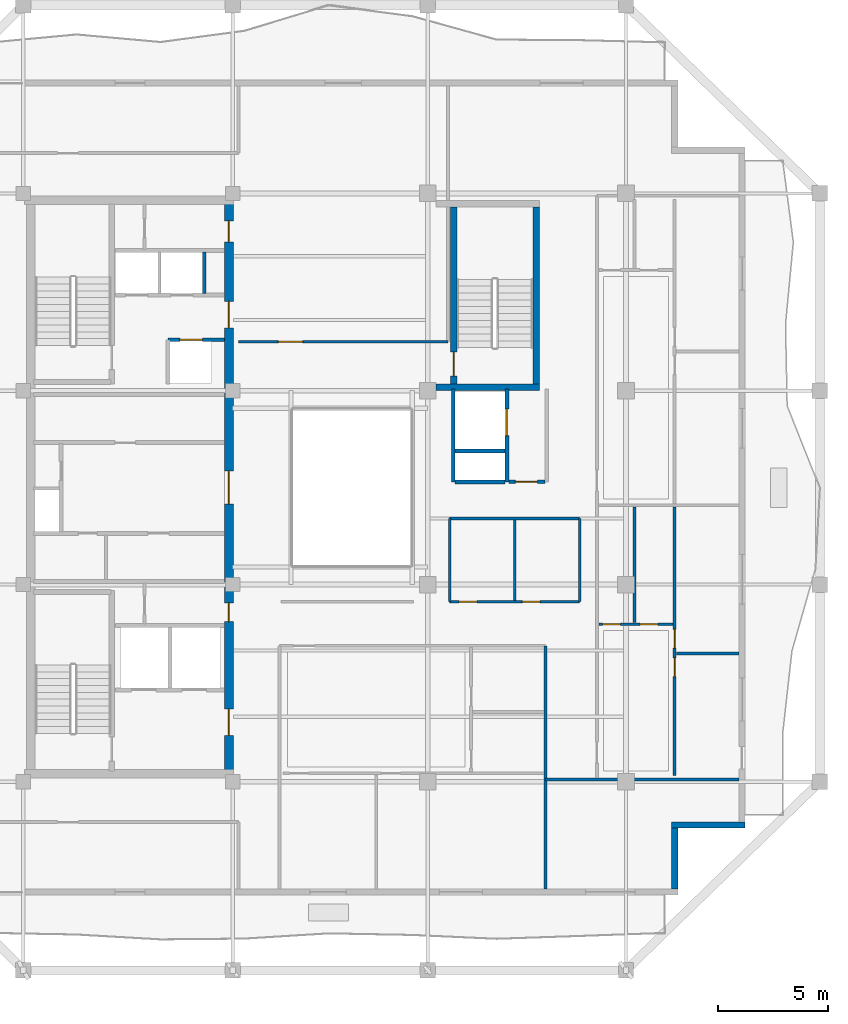
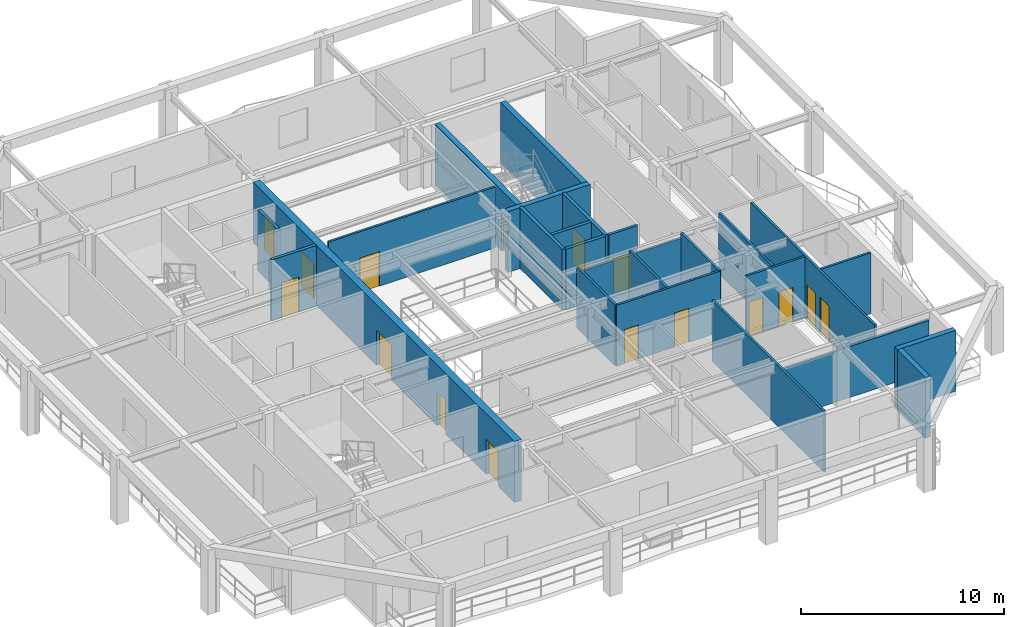
# One storey, part 4 of 10: 25 walls, 16 doors, 16 openings.
"""IFC4 building model written with IfcOpenShell, lengths in metres."""

from ifc_helpers import new_model, si_unit, direction, frame, frame_2d, origin, place, context, subcontext, project, spatial, rectangle, extrude, material, layer, layer_set, type_object, element, fill, save


model = new_model("IFC4")

# Units and contexts
model_context = context("Model", 3, precision=1e-05, world=origin(), true_north=direction((0.0, 1.0)))
body_context = subcontext(model_context, "Body", "Model", "MODEL_VIEW")
ifc_project = project(units=[si_unit("LENGTHUNIT", "METRE"), si_unit("AREAUNIT", "SQUARE_METRE"), si_unit("VOLUMEUNIT", "CUBIC_METRE"), si_unit("PLANEANGLEUNIT", "RADIAN"), si_unit("MASSUNIT", "GRAM", prefix="KILO")], contexts=[model_context])

# Site, building, storey
site_placement = place(None, origin())
site = spatial("IfcSite", under=ifc_project, at=site_placement, CompositionType="ELEMENT")
building_placement = place(site_placement, origin())
building = spatial("IfcBuilding", under=site, at=building_placement, Name="Kundavana Baori Tower", CompositionType="ELEMENT")
storey_placement = place(building_placement, frame((0.0, 0.0, 276.5)))
storey = spatial("IfcBuildingStorey", under=building, at=storey_placement, Name="L68", CompositionType="ELEMENT", Elevation=276.5)

# Wall, openings, doors
ifc_material_1 = material(Name="Concrete C50/60", Category="concrete")
ifc_layer_1 = layer(ifc_material_1, 0.39990234375, Name="WL-CORE-400")
ifc_layer_set_1 = layer_set([ifc_layer_1], Name="Concrete C50/60")
wall_type_1 = type_object("IfcWallType", Name="WL-CORE-400", PredefinedType="SHEAR", material=ifc_layer_set_1)
wall_1_placement = place(storey_placement, frame((24.780029296875, 15.739990234375, 0.0), z_axis=(0.0, 0.0, 1.0), x_axis=(0.0, 1.0, 0.0)))
wall_1 = element("IfcWall", 1, at=wall_1_placement, inside=storey, type_object=wall_type_1, Name="L68 Offset Core East Shear Wall", PredefinedType="SHEAR", context=body_context, shape_type="SweptSolid", body=[
    extrude(rectangle(XDim=25.760009765625, YDim=0.39990234375, at=frame_2d((12.8798828125, 0.0))), origin(), (0.0, 0.0, 1.0), 3.659912109375),
])
opening_1_placement = place(wall_1_placement, frame((1.610107421875, 0.0, 0.0)))
opening_1 = element("IfcOpeningElement", 2, at=opening_1_placement, cuts=wall_1, Name="Opening FD-120", PredefinedType="OPENING", context=body_context, shape_type="SweptSolid", body=[
    extrude(rectangle(XDim=1.199951171875, YDim=2.10009765625, at=frame_2d((0.60009765625, 1.050048828125))), frame((0.0, 0.2099609375, 0.0), z_axis=(0.0, -1.0, 0.0), x_axis=(1.0, 0.0, 0.0)), (0.0, 0.0, 1.0), 0.419921875),
])
opening_2_placement = place(wall_1_placement, frame((6.780029296875, 0.0, 0.0)))
opening_2 = element("IfcOpeningElement", 3, at=opening_2_placement, cuts=wall_1, Name="Opening FD-085", PredefinedType="OPENING", context=body_context, shape_type="SweptSolid", body=[
    extrude(rectangle(XDim=0.85009765625, YDim=2.06005859375, at=frame_2d((0.425048828125, 1.030029296875))), frame((0.0, 0.2099609375, 0.0), z_axis=(0.0, -1.0, 0.0), x_axis=(1.0, 0.0, 0.0)), (0.0, 0.0, 1.0), 0.419921875),
])
opening_3_placement = place(wall_1_placement, frame((12.110107421875, 0.0, 0.0)))
opening_3 = element("IfcOpeningElement", 4, at=opening_3_placement, cuts=wall_1, Name="Opening FD-150", PredefinedType="OPENING", context=body_context, shape_type="SweptSolid", body=[
    extrude(rectangle(XDim=1.5, YDim=2.1201171875, at=frame_2d((0.75, 1.06005859375))), frame((0.0, 0.2099609375, 0.0), z_axis=(0.0, -1.0, 0.0), x_axis=(1.0, 0.0, 0.0)), (0.0, 0.0, 1.0), 0.419921875),
])
opening_4_placement = place(wall_1_placement, frame((20.110107421875, 0.0, 0.0)))
opening_4 = element("IfcOpeningElement", 5, at=opening_4_placement, cuts=wall_1, Name="Opening FD-122", PredefinedType="OPENING", context=body_context, shape_type="SweptSolid", body=[
    extrude(rectangle(XDim=1.199951171875, YDim=2.1201171875, at=frame_2d((0.60009765625, 1.06005859375))), frame((0.0, 0.2099609375, 0.0), z_axis=(0.0, -1.0, 0.0), x_axis=(1.0, 0.0, 0.0)), (0.0, 0.0, 1.0), 0.419921875),
])
opening_5_placement = place(wall_1_placement, frame((24.010009765625, 0.0, 0.0)))
opening_5 = element("IfcOpeningElement", 6, at=opening_5_placement, cuts=wall_1, Name="Opening FD-095", PredefinedType="OPENING", context=body_context, shape_type="SweptSolid", body=[
    extrude(rectangle(XDim=0.949951171875, YDim=2.10009765625, at=frame_2d((0.47509765625, 1.050048828125))), frame((0.0, 0.2099609375, 0.0), z_axis=(0.0, -1.0, 0.0), x_axis=(1.0, 0.0, 0.0)), (0.0, 0.0, 1.0), 0.419921875),
])
ifc_material_2 = material(Name="Galvanised Steel Fire-Rated Door Leaf", Category="steel")
door_type_1 = type_object("IfcDoorType", Name="DR-FD120-1200", OperationType="NOTDEFINED", PredefinedType="DOOR", material=ifc_material_2)
door_1_placement = place(opening_1_placement, frame((1.199951171875, 0.0, 0.0), z_axis=(0.0, 0.0, 1.0), x_axis=(-1.0, 0.0, 0.0)))
door_1 = element("IfcDoor", 7, at=door_1_placement, inside=storey, type_object=door_type_1, Name="DR-L68-FFLOB-E", OperationType="SINGLE_SWING_RIGHT", OverallHeight=2.10009765625, OverallWidth=1.199951171875, PredefinedType="DOOR", context=body_context, shape_type="SweptSolid", body=[
    extrude(rectangle(XDim=1.199951171875, YDim=2.10009765625, at=frame_2d((0.60009765625, 1.050048828125))), frame((0.0, 0.02490234375, 0.0), z_axis=(0.0, -1.0, 0.0), x_axis=(1.0, 0.0, 0.0)), (0.0, 0.0, 1.0), 0.050048828125),
])
fill(opening_1, door_1)
ifc_material_3 = material(Name="Galvanised Steel Fire-Rated Door Leaf", Category="steel")
door_type_2 = type_object("IfcDoorType", Name="DR-FD60-1200", OperationType="NOTDEFINED", PredefinedType="DOOR", material=ifc_material_3)
door_2_placement = place(opening_4_placement, frame((1.199951171875, 0.0, 0.0), z_axis=(0.0, 0.0, 1.0), x_axis=(-1.0, 0.0, 0.0)))
door_2 = element("IfcDoor", 8, at=door_2_placement, inside=storey, type_object=door_type_2, Name="DR-L68-HRLOB-E", OperationType="SINGLE_SWING_RIGHT", OverallHeight=2.1201171875, OverallWidth=1.199951171875, PredefinedType="DOOR", context=body_context, shape_type="SweptSolid", body=[
    extrude(rectangle(XDim=1.199951171875, YDim=2.1201171875, at=frame_2d((0.60009765625, 1.06005859375))), frame((0.0, 0.02490234375, 0.0), z_axis=(0.0, -1.0, 0.0), x_axis=(1.0, 0.0, 0.0)), (0.0, 0.0, 1.0), 0.050048828125),
])
fill(opening_4, door_2)
ifc_material_4 = material(Name="Galvanised Steel Fire-Rated Door Leaf", Category="steel")
door_type_3 = type_object("IfcDoorType", Name="DR-FD60-1500", OperationType="NOTDEFINED", PredefinedType="DOOR", material=ifc_material_4)
door_3_placement = place(opening_3_placement, frame((1.5, 0.0, 0.0), z_axis=(0.0, 0.0, 1.0), x_axis=(-1.0, 0.0, 0.0)))
door_3 = element("IfcDoor", 9, at=door_3_placement, inside=storey, type_object=door_type_3, Name="DR-L68-LIFTHALL-E", OperationType="SINGLE_SWING_LEFT", OverallHeight=2.1201171875, OverallWidth=1.5, PredefinedType="DOOR", context=body_context, shape_type="SweptSolid", body=[
    extrude(rectangle(XDim=1.5, YDim=2.1201171875, at=frame_2d((0.75, 1.06005859375))), frame((0.0, 0.02490234375, 0.0), z_axis=(0.0, -1.0, 0.0), x_axis=(1.0, 0.0, 0.0)), (0.0, 0.0, 1.0), 0.050048828125),
])
fill(opening_3, door_3)
ifc_material_5 = material(Name="Galvanised Steel Fire-Rated Door Leaf", Category="steel")
door_type_4 = type_object("IfcDoorType", Name="DR-FD60-850", OperationType="NOTDEFINED", PredefinedType="DOOR", material=ifc_material_5)
door_4_placement = place(opening_2_placement, frame((0.85009765625, 0.0, 0.0), z_axis=(0.0, 0.0, 1.0), x_axis=(-1.0, 0.0, 0.0)))
door_4 = element("IfcDoor", 10, at=door_4_placement, inside=storey, type_object=door_type_4, Name="DR-L68-CSMK2", OperationType="SINGLE_SWING_LEFT", OverallHeight=2.06005859375, OverallWidth=0.85009765625, PredefinedType="DOOR", context=body_context, shape_type="SweptSolid", body=[
    extrude(rectangle(XDim=0.85009765625, YDim=2.06005859375, at=frame_2d((0.425048828125, 1.030029296875))), frame((0.0, 0.02490234375, 0.0), z_axis=(0.0, -1.0, 0.0), x_axis=(1.0, 0.0, 0.0)), (0.0, 0.0, 1.0), 0.050048828125),
])
fill(opening_2, door_4)
ifc_material_6 = material(Name="Engineered Teak Fire-Rated Timber Door Leaf", Category="wood")
door_type_5 = type_object("IfcDoorType", Name="DR-FD60-950", OperationType="NOTDEFINED", PredefinedType="DOOR", material=ifc_material_6)
door_5_placement = place(opening_5_placement, frame((0.949951171875, 0.0, 0.0), z_axis=(0.0, 0.0, 1.0), x_axis=(-1.0, 0.0, 0.0)))
door_5 = element("IfcDoor", 11, at=door_5_placement, inside=storey, type_object=door_type_5, Name="DR-L68-CSRV2", OperationType="SINGLE_SWING_LEFT", OverallHeight=2.10009765625, OverallWidth=0.949951171875, PredefinedType="DOOR", context=body_context, shape_type="SweptSolid", body=[
    extrude(rectangle(XDim=0.949951171875, YDim=2.10009765625, at=frame_2d((0.47509765625, 1.050048828125))), frame((0.0, 0.02490234375, 0.0), z_axis=(0.0, -1.0, 0.0), x_axis=(1.0, 0.0, 0.0)), (0.0, 0.0, 1.0), 0.050048828125),
])
fill(opening_5, door_5)

# Walls
ifc_material_7 = material(Name="Red-Buff Dholpur Sandstone Cladding on Concrete C40/50", Category="masonry")
ifc_layer_2 = layer(ifc_material_7, 0.280029296875, Name="WL-EXT-SAND-280")
ifc_layer_set_2 = layer_set([ifc_layer_2], Name="Red-Buff Dholpur Sandstone Cladding on Concrete C40/50")
wall_type_2 = type_object("IfcWallType", Name="WL-EXT-SAND-280", PredefinedType="STANDARD", material=ifc_layer_set_2)
wall_2_placement = place(storey_placement, frame((45.010009765625, 10.3798828125, 0.0), z_axis=(0.0, 0.0, 1.0), x_axis=(0.0, 1.0, 0.0)))
element("IfcWall", 12, at=wall_2_placement, inside=storey, type_object=wall_type_2, Name="L68 Exterior Insulated Facade Wall 02", PredefinedType="STANDARD", context=body_context, shape_type="SweptSolid", body=[
    extrude(rectangle(XDim=2.77001953125, YDim=0.280029296875, at=frame_2d((1.385009765625, 0.0))), origin(), (0.0, 0.0, 1.0), 3.659912109375),
])
wall_3_placement = place(storey_placement, frame((44.8701171875, 13.2900390625, 0.0), z_axis=(0.0, 0.0, 1.0), x_axis=(1.0, 0.0, 0.0)))
element("IfcWall", 13, at=wall_3_placement, inside=storey, type_object=wall_type_2, Name="L68 Exterior Insulated Facade Wall 03", PredefinedType="STANDARD", context=body_context, shape_type="SweptSolid", body=[
    extrude(rectangle(XDim=3.329833984375, YDim=0.280029296875, at=frame_2d((1.6650390625, 0.0))), origin(), (0.0, 0.0, 1.0), 3.659912109375),
])

# Wall, opening, door
ifc_material_8 = material(Name="Fire-Rated Gypsum Drywall on Galvanised Steel Studs", Category="steel")
ifc_layer_3 = layer(ifc_material_8, 0.14990234375, Name="WL-PART-150")
ifc_layer_set_3 = layer_set([ifc_layer_3], Name="Fire-Rated Gypsum Drywall on Galvanised Steel Studs")
wall_type_3 = type_object("IfcWallType", Name="WL-PART-150", PredefinedType="PARTITIONING", material=ifc_layer_set_3)
wall_4_placement = place(storey_placement, frame((37.47998046875, 28.860107421875, 0.0), z_axis=(0.0, 0.0, 1.0), x_axis=(1.0, 0.0, 0.0)))
wall_4 = element("IfcWall", 14, at=wall_4_placement, inside=storey, type_object=wall_type_3, Name="WL-L68-SVLOB-S", PredefinedType="PARTITIONING", context=body_context, shape_type="SweptSolid", body=[
    extrude(rectangle(XDim=1.64013671875, YDim=0.14990234375, at=frame_2d((0.820068359375, 0.0))), origin(), (0.0, 0.0, 1.0), 3.659912109375),
])
opening_6_placement = place(wall_4_placement, frame((0.300048828125, 0.0, 0.0)))
opening_6 = element("IfcOpeningElement", 15, at=opening_6_placement, cuts=wall_4, Name="Opening FD-100", PredefinedType="OPENING", context=body_context, shape_type="SweptSolid", body=[
    extrude(rectangle(XDim=1.0, YDim=2.10009765625, at=frame_2d((0.5, 1.050048828125))), frame((0.0, 0.0849609375, 0.0), z_axis=(0.0, -1.0, 0.0), x_axis=(1.0, 0.0, 0.0)), (0.0, 0.0, 1.0), 0.169921875),
])
ifc_material_9 = material(Name="Engineered Teak Fire-Rated Timber Door Leaf", Category="wood")
door_type_6 = type_object("IfcDoorType", Name="DR-FD60-1000", OperationType="NOTDEFINED", PredefinedType="DOOR", material=ifc_material_9)
door_6_placement = place(opening_6_placement, origin())
door_6 = element("IfcDoor", 16, at=door_6_placement, inside=storey, type_object=door_type_6, Name="DR-L68-SVLOB-OUT", OperationType="SINGLE_SWING_LEFT", OverallHeight=2.10009765625, OverallWidth=1.0, PredefinedType="DOOR", context=body_context, shape_type="SweptSolid", body=[
    extrude(rectangle(XDim=1.0, YDim=2.10009765625, at=frame_2d((0.5, 1.050048828125))), frame((0.0, 0.02490234375, 0.0), z_axis=(0.0, -1.0, 0.0), x_axis=(1.0, 0.0, 0.0)), (0.0, 0.0, 1.0), 0.050048828125),
])
fill(opening_6, door_6)

ifc_material_10 = material(Name="Autoclaved Aerated Concrete Blockwork Masonry", Category="masonry")
ifc_layer_4 = layer(ifc_material_10, 0.179931640625, Name="WL-SHAFT-180")
ifc_layer_set_4 = layer_set([ifc_layer_4], Name="Autoclaved Aerated Concrete Blockwork Masonry")
wall_type_4 = type_object("IfcWallType", Name="WL-SHAFT-180", PredefinedType="SOLIDWALL", material=ifc_layer_set_4)
wall_5_placement = place(storey_placement, frame((22.02001953125, 35.31005859375, 0.0), z_axis=(0.0, 0.0, 1.0), x_axis=(1.0, 0.0, 0.0)))
wall_5 = element("IfcWall", 17, at=wall_5_placement, inside=storey, type_object=wall_type_4, Name="WL-L68-LP11-N", PredefinedType="SOLIDWALL", context=body_context, shape_type="SweptSolid", body=[
    extrude(rectangle(XDim=2.56005859375, YDim=0.179931640625, at=frame_2d((1.280029296875, 0.0))), origin(), (0.0, 0.0, 1.0), 3.659912109375),
])
opening_7_placement = place(wall_5_placement, frame((0.550048828125, 0.0, 0.0)))
opening_7 = element("IfcOpeningElement", 18, at=opening_7_placement, cuts=wall_5, Name="Opening LD-100", PredefinedType="OPENING", context=body_context, shape_type="SweptSolid", body=[
    extrude(rectangle(XDim=1.0, YDim=2.10009765625, at=frame_2d((0.5, 1.050048828125))), frame((0.0, 0.10009765625, 0.0), z_axis=(0.0, -1.0, 0.0), x_axis=(1.0, 0.0, 0.0)), (0.0, 0.0, 1.0), 0.199951171875),
])
ifc_material_11 = material(Name="Galvanised Steel Fire-Rated Door Leaf", Category="steel")
door_type_7 = type_object("IfcDoorType", Name="DR-SLIDE-LD1000", OperationType="NOTDEFINED", PredefinedType="DOOR", material=ifc_material_11)
door_7_placement = place(opening_7_placement, origin())
door_7 = element("IfcDoor", 19, at=door_7_placement, inside=storey, type_object=door_type_7, Name="DR-L68-LD-LP11", OperationType="DOUBLE_DOOR_SLIDING", OverallHeight=2.10009765625, OverallWidth=1.0, PredefinedType="DOOR", context=body_context, shape_type="SweptSolid", body=[
    extrude(rectangle(XDim=1.0, YDim=2.10009765625, at=frame_2d((0.5, 1.050048828125))), frame((0.0, 0.02490234375, 0.0), z_axis=(0.0, -1.0, 0.0), x_axis=(1.0, 0.0, 0.0)), (0.0, 0.0, 1.0), 0.050048828125),
])
fill(opening_7, door_7)

# Walls
wall_6_placement = place(storey_placement, frame((23.659912109375, 37.39990234375, 0.0), z_axis=(0.0, 0.0, 1.0), x_axis=(0.0, 1.0, 0.0)))
element("IfcWall", 20, at=wall_6_placement, inside=storey, type_object=wall_type_4, Name="WL-L68-HR-DIV2", PredefinedType="SOLIDWALL", context=body_context, shape_type="SweptSolid", body=[
    extrude(rectangle(XDim=1.900146484375, YDim=0.179931640625, at=frame_2d((0.9501953125, 0.0))), origin(), (0.0, 0.0, 1.0), 3.659912109375),
])
wall_7_placement = place(storey_placement, frame((34.9599609375, 28.860107421875, 0.0), z_axis=(0.0, 0.0, 1.0), x_axis=(0.0, 1.0, 0.0)))
element("IfcWall", 21, at=wall_7_placement, inside=storey, type_object=wall_type_4, Name="WL-L68-SVL-W", PredefinedType="SOLIDWALL", context=body_context, shape_type="SweptSolid", body=[
    extrude(rectangle(XDim=4.219970703125, YDim=0.179931640625, at=frame_2d((2.10986328125, 0.0))), origin(), (0.0, 0.0, 1.0), 3.659912109375),
])

# Wall, opening, door
wall_8_placement = place(storey_placement, frame((37.389892578125, 28.860107421875, 0.0), z_axis=(0.0, 0.0, 1.0), x_axis=(0.0, 1.0, 0.0)))
wall_8 = element("IfcWall", 22, at=wall_8_placement, inside=storey, type_object=wall_type_4, Name="WL-L68-SVL-E", PredefinedType="SOLIDWALL", context=body_context, shape_type="SweptSolid", body=[
    extrude(rectangle(XDim=4.219970703125, YDim=0.179931640625, at=frame_2d((2.10986328125, 0.0))), origin(), (0.0, 0.0, 1.0), 3.659912109375),
])
opening_8_placement = place(wall_8_placement, frame((2.10009765625, 0.0, 0.0)))
opening_8 = element("IfcOpeningElement", 23, at=opening_8_placement, cuts=wall_8, Name="Opening LD-120", PredefinedType="OPENING", context=body_context, shape_type="SweptSolid", body=[
    extrude(rectangle(XDim=1.199951171875, YDim=2.1201171875, at=frame_2d((0.60009765625, 1.06005859375))), frame((0.0, 0.10009765625, 0.0), z_axis=(0.0, -1.0, 0.0), x_axis=(1.0, 0.0, 0.0)), (0.0, 0.0, 1.0), 0.199951171875),
])
ifc_material_12 = material(Name="Galvanised Steel Fire-Rated Door Leaf", Category="steel")
door_type_8 = type_object("IfcDoorType", Name="DR-SLIDE-LD1200", OperationType="NOTDEFINED", PredefinedType="DOOR", material=ifc_material_12)
door_8_placement = place(opening_8_placement, frame((1.199951171875, 0.0, 0.0), z_axis=(0.0, 0.0, 1.0), x_axis=(-1.0, 0.0, 0.0)))
door_8 = element("IfcDoor", 24, at=door_8_placement, inside=storey, type_object=door_type_8, Name="DR-L68-LD-SVL1", OperationType="DOUBLE_DOOR_SLIDING", OverallHeight=2.1201171875, OverallWidth=1.199951171875, PredefinedType="DOOR", context=body_context, shape_type="SweptSolid", body=[
    extrude(rectangle(XDim=1.199951171875, YDim=2.1201171875, at=frame_2d((0.60009765625, 1.06005859375))), frame((0.0, 0.02490234375, 0.0), z_axis=(0.0, -1.0, 0.0), x_axis=(1.0, 0.0, 0.0)), (0.0, 0.0, 1.0), 0.050048828125),
])
fill(opening_8, door_8)

# Walls
for number, where, z_axis, x_axis, name in (
    (25, (35.050048828125, 28.860107421875, 0.0), (0.0, 0.0, 1.0), (1.0, 0.0, 0.0), "WL-L68-SVL-S"),
    (26, (35.050048828125, 30.27001953125, 0.0), (0.0, 0.0, 1.0), (1.0, 0.0, 0.0), "WL-L68-SVL-M"),
):
    element("IfcWall", number, at=place(storey_placement, frame(where, z_axis=z_axis, x_axis=x_axis)), inside=storey, type_object=wall_type_4, Name=name, PredefinedType="SOLIDWALL", context=body_context, shape_type="SweptSolid", body=[
        extrude(rectangle(XDim=2.25, YDim=0.179931640625, at=frame_2d((1.125, 0.0))), origin(), (0.0, 0.0, 1.0), 3.659912109375),
    ])
ifc_material_13 = material(Name="Concrete C50/60", Category="concrete")
ifc_layer_5 = layer(ifc_material_13, 0.300048828125, Name="WL-ST3-300")
ifc_layer_set_5 = layer_set([ifc_layer_5], Name="Concrete C50/60")
wall_type_5 = type_object("IfcWallType", Name="WL-ST3-300", PredefinedType="SHEAR", material=ifc_layer_set_5)
wall_9_placement = place(storey_placement, frame((34.175048828125, 33.159912109375, 0.0), z_axis=(0.0, 0.0, 1.0), x_axis=(1.0, 0.0, 0.0)))
element("IfcWall", 27, at=wall_9_placement, inside=storey, type_object=wall_type_5, Name="L68 Stair ST3 South Shear Wall", PredefinedType="SHEAR", context=body_context, shape_type="SweptSolid", body=[
    extrude(rectangle(XDim=4.695068359375, YDim=0.300048828125, at=frame_2d((2.34765625, 0.0))), origin(), (0.0, 0.0, 1.0), 3.659912109375),
])

# Wall, opening, door
wall_10_placement = place(storey_placement, frame((34.97998046875, 33.31005859375, 0.0), z_axis=(0.0, 0.0, 1.0), x_axis=(0.0, 1.0, 0.0)))
wall_10 = element("IfcWall", 28, at=wall_10_placement, inside=storey, type_object=wall_type_5, Name="L68 Stair ST3 West Shear Wall", PredefinedType="SHEAR", context=body_context, shape_type="SweptSolid", body=[
    extrude(rectangle(XDim=8.030029296875, YDim=0.300048828125, at=frame_2d((4.01513671875, 0.0))), origin(), (0.0, 0.0, 1.0), 3.659912109375),
])
opening_9_placement = place(wall_10_placement, frame((0.35009765625, 0.0, 0.0)))
opening_9 = element("IfcOpeningElement", 29, at=opening_9_placement, cuts=wall_10, Name="Opening FD-110", PredefinedType="OPENING", context=body_context, shape_type="SweptSolid", body=[
    extrude(rectangle(XDim=1.10009765625, YDim=2.10009765625, at=frame_2d((0.550048828125, 1.050048828125))), frame((0.0, 0.16015625, 0.0), z_axis=(0.0, -1.0, 0.0), x_axis=(1.0, 0.0, 0.0)), (0.0, 0.0, 1.0), 0.320068359375),
])
ifc_material_14 = material(Name="Galvanised Steel Fire-Rated Door Leaf", Category="steel")
door_type_9 = type_object("IfcDoorType", Name="DR-FD120-1100", OperationType="NOTDEFINED", PredefinedType="DOOR", material=ifc_material_14)
door_9_placement = place(opening_9_placement, origin())
door_9 = element("IfcDoor", 30, at=door_9_placement, inside=storey, type_object=door_type_9, Name="DR-L68-ST3-W", OperationType="SINGLE_SWING_LEFT", OverallHeight=2.10009765625, OverallWidth=1.10009765625, PredefinedType="DOOR", context=body_context, shape_type="SweptSolid", body=[
    extrude(rectangle(XDim=1.10009765625, YDim=2.10009765625, at=frame_2d((0.550048828125, 1.050048828125))), frame((0.0, 0.02490234375, 0.0), z_axis=(0.0, -1.0, 0.0), x_axis=(1.0, 0.0, 0.0)), (0.0, 0.0, 1.0), 0.050048828125),
])
fill(opening_9, door_9)

# Wall
wall_11_placement = place(storey_placement, frame((38.719970703125, 33.31005859375, 0.0), z_axis=(0.0, 0.0, 1.0), x_axis=(0.0, 1.0, 0.0)))
element("IfcWall", 31, at=wall_11_placement, inside=storey, type_object=wall_type_5, Name="L68 Stair ST3 East Shear Wall", PredefinedType="SHEAR", context=body_context, shape_type="SweptSolid", body=[
    extrude(rectangle(XDim=8.030029296875, YDim=0.300048828125, at=frame_2d((4.01513671875, 0.0))), origin(), (0.0, 0.0, 1.0), 3.659912109375),
])

# Wall, opening, door
ifc_material_15 = material(Name="Autoclaved Aerated Concrete Blockwork Masonry", Category="masonry")
ifc_layer_6 = layer(ifc_material_15, 0.125, Name="WL-WET-120")
ifc_layer_set_6 = layer_set([ifc_layer_6], Name="Autoclaved Aerated Concrete Blockwork Masonry")
wall_type_6 = type_object("IfcWallType", Name="WL-WET-120", PredefinedType="PLUMBINGWALL", material=ifc_layer_set_6)
wall_12_placement = place(storey_placement, frame((25.219970703125, 35.219970703125, 0.0), z_axis=(0.0, 0.0, 1.0), x_axis=(1.0, 0.0, 0.0)))
wall_12 = element("IfcWall", 32, at=wall_12_placement, inside=storey, type_object=wall_type_6, Name="WL-L68-RN", PredefinedType="PLUMBINGWALL", context=body_context, shape_type="SweptSolid", body=[
    extrude(rectangle(XDim=9.5, YDim=0.125, at=frame_2d((4.75, 0.0))), origin(), (0.0, 0.0, 1.0), 3.659912109375),
])
opening_10_placement = place(wall_12_placement, frame((1.800048828125, 0.0, 0.0)))
opening_10 = element("IfcOpeningElement", 33, at=opening_10_placement, cuts=wall_12, Name="Opening ID-110", PredefinedType="OPENING", context=body_context, shape_type="SweptSolid", body=[
    extrude(rectangle(XDim=1.10009765625, YDim=2.080078125, at=frame_2d((0.550048828125, 1.0400390625))), frame((0.0, 0.072509765625, 0.0), z_axis=(0.0, -1.0, 0.0), x_axis=(1.0, 0.0, 0.0)), (0.0, 0.0, 1.0), 0.14501953125),
])
ifc_material_16 = material(Name="Engineered Teak Solid-Core Timber Veneer", Category="wood")
door_type_10 = type_object("IfcDoorType", Name="DR-INT-1100", OperationType="NOTDEFINED", PredefinedType="DOOR", material=ifc_material_16)
door_10_placement = place(opening_10_placement, origin())
door_10 = element("IfcDoor", 34, at=door_10_placement, inside=storey, type_object=door_type_10, Name="DR-L68-RLNGN", OperationType="SINGLE_SWING_RIGHT", OverallHeight=2.080078125, OverallWidth=1.10009765625, PredefinedType="DOOR", context=body_context, shape_type="SweptSolid", body=[
    extrude(rectangle(XDim=1.10009765625, YDim=2.080078125, at=frame_2d((0.550048828125, 1.0400390625))), frame((0.0, 0.02490234375, 0.0), z_axis=(0.0, -1.0, 0.0), x_axis=(1.0, 0.0, 0.0)), (0.0, 0.0, 1.0), 0.050048828125),
])
fill(opening_10, door_10)

# Walls
wall_13_placement = place(storey_placement, frame((39.14990234375, 10.3798828125, 0.0), z_axis=(0.0, 0.0, 1.0), x_axis=(0.0, 1.0, 0.0)))
element("IfcWall", 35, at=wall_13_placement, inside=storey, type_object=wall_type_6, Name="WL-L68-RSEND", PredefinedType="PLUMBINGWALL", context=body_context, shape_type="SweptSolid", body=[
    extrude(rectangle(XDim=11.0400390625, YDim=0.125, at=frame_2d((5.52001953125, 0.0))), origin(), (0.0, 0.0, 1.0), 3.659912109375),
])
wall_14_placement = place(storey_placement, frame((39.14990234375, 15.35009765625, 0.0), z_axis=(0.0, 0.0, 1.0), x_axis=(1.0, 0.0, 0.0)))
element("IfcWall", 36, at=wall_14_placement, inside=storey, type_object=wall_type_6, Name="WL-L68-RES", PredefinedType="PLUMBINGWALL", context=body_context, shape_type="SweptSolid", body=[
    extrude(rectangle(XDim=8.77001953125, YDim=0.125, at=frame_2d((4.385009765625, 0.0))), origin(), (0.0, 0.0, 1.0), 3.06005859375),
])

# Wall, openings, doors
wall_15_placement = place(storey_placement, frame((45.00390625, 15.530029296875, 0.0), z_axis=(0.0, 0.0, 1.0), x_axis=(0.0, 1.0, 0.0)))
wall_15 = element("IfcWall", 37, at=wall_15_placement, inside=storey, type_object=wall_type_6, Name="WL-L68-E1-VT", PredefinedType="PLUMBINGWALL", context=body_context, shape_type="SweptSolid", body=[
    extrude(rectangle(XDim=12.18994140625, YDim=0.125, at=frame_2d((6.094970703125, 0.0))), origin(), (0.0, 0.0, 1.0), 3.659912109375),
])
opening_11_placement = place(wall_15_placement, frame((4.489990234375, 0.0, 0.0)))
opening_11 = element("IfcOpeningElement", 38, at=opening_11_placement, cuts=wall_15, Name="Opening ID-085", PredefinedType="OPENING", context=body_context, shape_type="SweptSolid", body=[
    extrude(rectangle(XDim=0.85009765625, YDim=2.080078125, at=frame_2d((0.425048828125, 1.0400390625))), frame((0.0, 0.072509765625, 0.0), z_axis=(0.0, -1.0, 0.0), x_axis=(1.0, 0.0, 0.0)), (0.0, 0.0, 1.0), 0.14501953125),
])
opening_12_placement = place(wall_15_placement, frame((5.7900390625, 0.0, 0.0)))
opening_12 = element("IfcOpeningElement", 39, at=opening_12_placement, cuts=wall_15, Name="Opening ID-085", PredefinedType="OPENING", context=body_context, shape_type="SweptSolid", body=[
    extrude(rectangle(XDim=0.85009765625, YDim=2.080078125, at=frame_2d((0.425048828125, 1.0400390625))), frame((0.0, 0.072509765625, 0.0), z_axis=(0.0, -1.0, 0.0), x_axis=(1.0, 0.0, 0.0)), (0.0, 0.0, 1.0), 0.14501953125),
])
ifc_material_17 = material(Name="Engineered Teak Solid-Core Timber Veneer", Category="wood")
door_type_11 = type_object("IfcDoorType", Name="DR-INT-850", OperationType="NOTDEFINED", PredefinedType="DOOR", material=ifc_material_17)
door_11_placement = place(opening_11_placement, origin())
door_11 = element("IfcDoor", 40, at=door_11_placement, inside=storey, type_object=door_type_11, Name="DR-L68-E1-B1", OperationType="SINGLE_SWING_LEFT", OverallHeight=2.080078125, OverallWidth=0.85009765625, PredefinedType="DOOR", context=body_context, shape_type="SweptSolid", body=[
    extrude(rectangle(XDim=0.85009765625, YDim=2.080078125, at=frame_2d((0.425048828125, 1.0400390625))), frame((0.0, 0.02490234375, 0.0), z_axis=(0.0, -1.0, 0.0), x_axis=(1.0, 0.0, 0.0)), (0.0, 0.0, 1.0), 0.050048828125),
])
fill(opening_11, door_11)
door_12_placement = place(opening_12_placement, origin())
door_12 = element("IfcDoor", 41, at=door_12_placement, inside=storey, type_object=door_type_11, Name="DR-L68-E1-B2", OperationType="SINGLE_SWING_RIGHT", OverallHeight=2.080078125, OverallWidth=0.85009765625, PredefinedType="DOOR", context=body_context, shape_type="SweptSolid", body=[
    extrude(rectangle(XDim=0.85009765625, YDim=2.080078125, at=frame_2d((0.425048828125, 1.0400390625))), frame((0.0, 0.02490234375, 0.0), z_axis=(0.0, -1.0, 0.0), x_axis=(1.0, 0.0, 0.0)), (0.0, 0.0, 1.0), 0.050048828125),
])
fill(opening_12, door_12)

wall_16_placement = place(storey_placement, frame((41.580078125, 22.39990234375, 0.0), z_axis=(0.0, 0.0, 1.0), x_axis=(1.0, 0.0, 0.0)))
wall_16 = element("IfcWall", 42, at=wall_16_placement, inside=storey, type_object=wall_type_6, Name="WL-L68-E1-KH", PredefinedType="PLUMBINGWALL", context=body_context, shape_type="SweptSolid", body=[
    extrude(rectangle(XDim=3.343994140625, YDim=0.125, at=frame_2d((1.671875, 0.0))), origin(), (0.0, 0.0, 1.0), 3.659912109375),
])
opening_13_placement = place(wall_16_placement, frame((0.159912109375, 0.0, 0.0)))
opening_13 = element("IfcOpeningElement", 43, at=opening_13_placement, cuts=wall_16, Name="Opening WD-080", PredefinedType="OPENING", context=body_context, shape_type="SweptSolid", body=[
    extrude(rectangle(XDim=0.800048828125, YDim=2.050048828125, at=frame_2d((0.39990234375, 1.02490234375))), frame((0.0, 0.072509765625, 0.0), z_axis=(0.0, -1.0, 0.0), x_axis=(1.0, 0.0, 0.0)), (0.0, 0.0, 1.0), 0.14501953125),
])
opening_14_placement = place(wall_16_placement, frame((1.864990234375, 0.0, 0.0)))
opening_14 = element("IfcOpeningElement", 44, at=opening_14_placement, cuts=wall_16, Name="Opening WD-080", PredefinedType="OPENING", context=body_context, shape_type="SweptSolid", body=[
    extrude(rectangle(XDim=0.800048828125, YDim=2.050048828125, at=frame_2d((0.39990234375, 1.02490234375))), frame((0.0, 0.072509765625, 0.0), z_axis=(0.0, -1.0, 0.0), x_axis=(1.0, 0.0, 0.0)), (0.0, 0.0, 1.0), 0.14501953125),
])
ifc_material_18 = material(Name="Engineered Teak Solid-Core Timber Veneer", Category="wood")
door_type_12 = type_object("IfcDoorType", Name="DR-WET-800", OperationType="NOTDEFINED", PredefinedType="DOOR", material=ifc_material_18)
door_13_placement = place(opening_13_placement, origin())
door_13 = element("IfcDoor", 45, at=door_13_placement, inside=storey, type_object=door_type_12, Name="DR-L68-E1-BT", OperationType="SINGLE_SWING_LEFT", OverallHeight=2.050048828125, OverallWidth=0.800048828125, PredefinedType="DOOR", context=body_context, shape_type="SweptSolid", body=[
    extrude(rectangle(XDim=0.800048828125, YDim=2.050048828125, at=frame_2d((0.39990234375, 1.02490234375))), frame((0.0, 0.02490234375, 0.0), z_axis=(0.0, -1.0, 0.0), x_axis=(1.0, 0.0, 0.0)), (0.0, 0.0, 1.0), 0.050048828125),
])
fill(opening_13, door_13)
door_14_placement = place(opening_14_placement, origin())
door_14 = element("IfcDoor", 46, at=door_14_placement, inside=storey, type_object=door_type_12, Name="DR-L68-E1-KT", OperationType="SINGLE_SWING_RIGHT", OverallHeight=2.050048828125, OverallWidth=0.800048828125, PredefinedType="DOOR", context=body_context, shape_type="SweptSolid", body=[
    extrude(rectangle(XDim=0.800048828125, YDim=2.050048828125, at=frame_2d((0.39990234375, 1.02490234375))), frame((0.0, 0.02490234375, 0.0), z_axis=(0.0, -1.0, 0.0), x_axis=(1.0, 0.0, 0.0)), (0.0, 0.0, 1.0), 0.050048828125),
])
fill(opening_14, door_14)

# Walls
wall_17_placement = place(storey_placement, frame((43.18505859375, 22.47998046875, 0.0), z_axis=(0.0, 0.0, 1.0), x_axis=(0.0, 1.0, 0.0)))
element("IfcWall", 47, at=wall_17_placement, inside=storey, type_object=wall_type_6, Name="WL-L68-E1-BV", PredefinedType="PLUMBINGWALL", context=body_context, shape_type="SweptSolid", body=[
    extrude(rectangle(XDim=5.239990234375, YDim=0.125, at=frame_2d((2.6201171875, 0.0))), origin(), (0.0, 0.0, 1.0), 3.659912109375),
])
wall_18_placement = place(storey_placement, frame((45.083984375, 21.070068359375, 0.0), z_axis=(0.0, 0.0, 1.0), x_axis=(1.0, 0.0, 0.0)))
element("IfcWall", 48, at=wall_18_placement, inside=storey, type_object=wall_type_6, Name="WL-L68-E1-BDH", PredefinedType="PLUMBINGWALL", context=body_context, shape_type="SweptSolid", body=[
    extrude(rectangle(XDim=2.8359375, YDim=0.125, at=frame_2d((1.41796875, 0.0))), origin(), (0.0, 0.0, 1.0), 3.659912109375),
])

# Wall, openings, doors
wall_19_placement = place(storey_placement, frame((34.800048828125, 23.419921875, 0.0), z_axis=(0.0, 0.0, 1.0), x_axis=(1.0, 0.0, 0.0)))
wall_19 = element("IfcWall", 49, at=wall_19_placement, inside=storey, type_object=wall_type_6, Name="WL-L68-ALS", PredefinedType="PLUMBINGWALL", context=body_context, shape_type="SweptSolid", body=[
    extrude(rectangle(XDim=5.89990234375, YDim=0.125, at=frame_2d((2.949951171875, 0.0))), origin(), (0.0, 0.0, 1.0), 3.659912109375),
])
opening_15_placement = place(wall_19_placement, frame((0.429931640625, 0.0, 0.0)))
opening_15 = element("IfcOpeningElement", 50, at=opening_15_placement, cuts=wall_19, Name="Opening WD-080", PredefinedType="OPENING", context=body_context, shape_type="SweptSolid", body=[
    extrude(rectangle(XDim=0.800048828125, YDim=2.050048828125, at=frame_2d((0.39990234375, 1.02490234375))), frame((0.0, 0.072509765625, 0.0), z_axis=(0.0, -1.0, 0.0), x_axis=(1.0, 0.0, 0.0)), (0.0, 0.0, 1.0), 0.14501953125),
])
opening_16_placement = place(wall_19_placement, frame((3.300048828125, 0.0, 0.0)))
opening_16 = element("IfcOpeningElement", 51, at=opening_16_placement, cuts=wall_19, Name="Opening WD-080", PredefinedType="OPENING", context=body_context, shape_type="SweptSolid", body=[
    extrude(rectangle(XDim=0.800048828125, YDim=2.050048828125, at=frame_2d((0.39990234375, 1.02490234375))), frame((0.0, 0.072509765625, 0.0), z_axis=(0.0, -1.0, 0.0), x_axis=(1.0, 0.0, 0.0)), (0.0, 0.0, 1.0), 0.14501953125),
])
door_15_placement = place(opening_15_placement, origin())
door_15 = element("IfcDoor", 52, at=door_15_placement, inside=storey, type_object=door_type_12, Name="DR-L68-RALC1", OperationType="SINGLE_SWING_LEFT", OverallHeight=2.050048828125, OverallWidth=0.800048828125, PredefinedType="DOOR", context=body_context, shape_type="SweptSolid", body=[
    extrude(rectangle(XDim=0.800048828125, YDim=2.050048828125, at=frame_2d((0.39990234375, 1.02490234375))), frame((0.0, 0.02490234375, 0.0), z_axis=(0.0, -1.0, 0.0), x_axis=(1.0, 0.0, 0.0)), (0.0, 0.0, 1.0), 0.050048828125),
])
fill(opening_15, door_15)
door_16_placement = place(opening_16_placement, origin())
door_16 = element("IfcDoor", 53, at=door_16_placement, inside=storey, type_object=door_type_12, Name="DR-L68-RALC2", OperationType="SINGLE_SWING_LEFT", OverallHeight=2.050048828125, OverallWidth=0.800048828125, PredefinedType="DOOR", context=body_context, shape_type="SweptSolid", body=[
    extrude(rectangle(XDim=0.800048828125, YDim=2.050048828125, at=frame_2d((0.39990234375, 1.02490234375))), frame((0.0, 0.02490234375, 0.0), z_axis=(0.0, -1.0, 0.0), x_axis=(1.0, 0.0, 0.0)), (0.0, 0.0, 1.0), 0.050048828125),
])
fill(opening_16, door_16)

# Walls
wall_20_placement = place(storey_placement, frame((34.800048828125, 27.199951171875, 0.0), z_axis=(0.0, 0.0, 1.0), x_axis=(1.0, 0.0, 0.0)))
element("IfcWall", 54, at=wall_20_placement, inside=storey, type_object=wall_type_6, Name="WL-L68-ALN", PredefinedType="PLUMBINGWALL", context=body_context, shape_type="SweptSolid", body=[
    extrude(rectangle(XDim=5.89990234375, YDim=0.125, at=frame_2d((2.949951171875, 0.0))), origin(), (0.0, 0.0, 1.0), 3.360107421875),
])
for number, where, z_axis, x_axis, name in (
    (55, (34.800048828125, 23.419921875, 0.0), (0.0, 0.0, 1.0), (0.0, 1.0, 0.0), "WL-L68-ALW"),
    (56, (40.699951171875, 23.419921875, 0.0), (0.0, 0.0, 1.0), (0.0, 1.0, 0.0), "WL-L68-ALE"),
):
    element("IfcWall", number, at=place(storey_placement, frame(where, z_axis=z_axis, x_axis=x_axis)), inside=storey, type_object=wall_type_6, Name=name, PredefinedType="PLUMBINGWALL", context=body_context, shape_type="SweptSolid", body=[
        extrude(rectangle(XDim=3.780029296875, YDim=0.125, at=frame_2d((1.89013671875, 0.0))), origin(), (0.0, 0.0, 1.0), 3.659912109375),
    ])
wall_21_placement = place(storey_placement, frame((37.75, 23.47998046875, 0.0), z_axis=(0.0, 0.0, 1.0), x_axis=(0.0, 1.0, 0.0)))
element("IfcWall", 57, at=wall_21_placement, inside=storey, type_object=wall_type_6, Name="WL-L68-ALD1", PredefinedType="PLUMBINGWALL", context=body_context, shape_type="SweptSolid", body=[
    extrude(rectangle(XDim=3.659912109375, YDim=0.125, at=frame_2d((1.830078125, 0.0))), origin(), (0.0, 0.0, 1.0), 3.659912109375),
])

save(model, "model.ifc")
